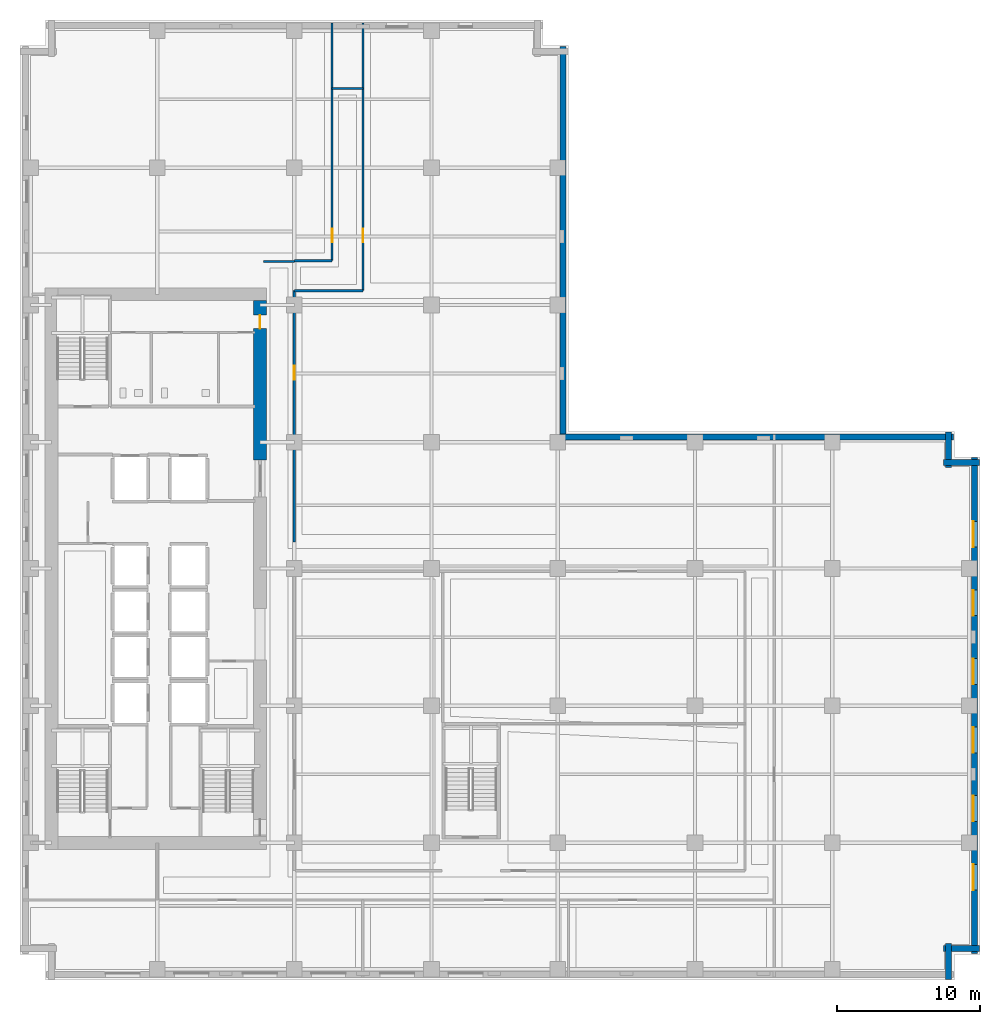
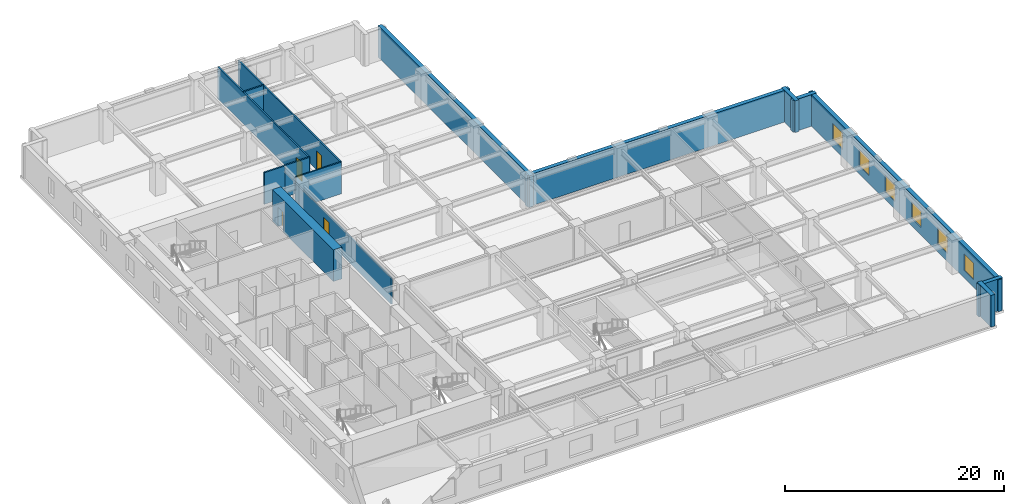
# One storey, part 7 of 13: 15 walls, 6 windows, 4 doors, 10 openings.
"""IFC4 building model written with IfcOpenShell, lengths in metres."""

from ifc_helpers import new_model, si_unit, direction, frame, frame_2d, origin, place, context, subcontext, project, spatial, rectangle, extrude, material, layer, layer_set, type_object, element, fill, save


model = new_model("IFC4")

# Units and contexts
model_context = context("Model", 3, precision=1e-05, world=origin(), true_north=direction((0.0, 1.0)))
body_context = subcontext(model_context, "Body", "Model", "MODEL_VIEW")
ifc_project = project(units=[si_unit("LENGTHUNIT", "METRE"), si_unit("AREAUNIT", "SQUARE_METRE"), si_unit("VOLUMEUNIT", "CUBIC_METRE"), si_unit("PLANEANGLEUNIT", "RADIAN"), si_unit("MASSUNIT", "GRAM", prefix="KILO")], contexts=[model_context])

# Site, building, storey
site_placement = place(None, origin())
site = spatial("IfcSite", under=ifc_project, at=site_placement, CompositionType="ELEMENT")
building_placement = place(site_placement, origin())
building = spatial("IfcBuilding", under=site, at=building_placement, Name="Norrvale University Quadrangle", CompositionType="ELEMENT")
storey_placement = place(building_placement, frame((0.0, 0.0, 66.0)))
storey = spatial("IfcBuildingStorey", under=building, at=storey_placement, Name="L16", CompositionType="ELEMENT", Elevation=66.0)

# Walls
ifc_material_1 = material(Name="Buff Norman Clay Brick Masonry", Category="masonry")
ifc_layer_1 = layer(ifc_material_1, 0.419921875, Name="Buff Norman Clay Brick Masonry")
ifc_layer_set_1 = layer_set([ifc_layer_1], Name="Buff Norman Clay Brick Masonry")
wall_type_1 = type_object("IfcWallType", Name="Wall Buff Brick 420", PredefinedType="SOLIDWALL", material=ifc_layer_set_1)
for number, where, z_axis, x_axis, name in (
    (1, (65.010009765625, 0.0400390625, 0.0), (0.0, 0.0, 1.0), (0.0, 1.0, 0.0), "Exterior Brick Facade Wall L16-02.1"),
    (2, (64.659912109375, 2.18994140625, 0.0), (0.0, 0.0, 1.0), (1.0, 0.0, 0.0), "Exterior Brick Facade Wall L16-03.1"),
):
    element("IfcWall", number, at=place(storey_placement, frame(where, z_axis=z_axis, x_axis=x_axis)), inside=storey, type_object=wall_type_1, Name=name, PredefinedType="SOLIDWALL", context=body_context, shape_type="SweptSolid", body=[
        extrude(rectangle(XDim=2.5, YDim=0.419921875, at=frame_2d((1.25, 0.0))), origin(), (0.0, 0.0, 1.0), 3.5400390625),
    ])

# Wall, openings, windows
wall_1_placement = place(storey_placement, frame((66.81005859375, 1.840087890625, 0.0), z_axis=(0.0, 0.0, 1.0), x_axis=(0.0, 1.0, 0.0)))
wall_1 = element("IfcWall", 3, at=wall_1_placement, inside=storey, type_object=wall_type_1, Name="Exterior Brick Facade Wall L16-04.1", PredefinedType="SOLIDWALL", context=body_context, shape_type="SweptSolid", body=[
    extrude(rectangle(XDim=34.719970703125, YDim=0.419921875, at=frame_2d((17.35986328125, 0.0))), origin(), (0.0, 0.0, 1.0), 3.5400390625),
])
opening_1_placement = place(wall_1_placement, frame((4.4599609375, 0.0, 0.85009765625)))
opening_1 = element("IfcOpeningElement", 4, at=opening_1_placement, cuts=wall_1, Name="Opening W01", PredefinedType="OPENING", context=body_context, shape_type="SweptSolid", body=[
    extrude(rectangle(XDim=1.800048828125, YDim=1.85009765625, at=frame_2d((0.89990234375, 0.925048828125))), frame((0.0, 0.221923828125, 0.0), z_axis=(0.0, -1.0, 0.0), x_axis=(1.0, 0.0, 0.0)), (0.0, 0.0, 1.0), 0.44384765625),
])
opening_2_placement = place(wall_1_placement, frame((9.260009765625, 0.0, 0.85009765625)))
opening_2 = element("IfcOpeningElement", 5, at=opening_2_placement, cuts=wall_1, Name="Opening W01", PredefinedType="OPENING", context=body_context, shape_type="SweptSolid", body=[
    extrude(rectangle(XDim=1.800048828125, YDim=1.85009765625, at=frame_2d((0.89990234375, 0.925048828125))), frame((0.0, 0.221923828125, 0.0), z_axis=(0.0, -1.0, 0.0), x_axis=(1.0, 0.0, 0.0)), (0.0, 0.0, 1.0), 0.44384765625),
])
opening_3_placement = place(wall_1_placement, frame((14.06005859375, 0.0, 0.85009765625)))
opening_3 = element("IfcOpeningElement", 6, at=opening_3_placement, cuts=wall_1, Name="Opening W01", PredefinedType="OPENING", context=body_context, shape_type="SweptSolid", body=[
    extrude(rectangle(XDim=1.800048828125, YDim=1.85009765625, at=frame_2d((0.89990234375, 0.925048828125))), frame((0.0, 0.221923828125, 0.0), z_axis=(0.0, -1.0, 0.0), x_axis=(1.0, 0.0, 0.0)), (0.0, 0.0, 1.0), 0.44384765625),
])
opening_4_placement = place(wall_1_placement, frame((18.860107421875, 0.0, 0.85009765625)))
opening_4 = element("IfcOpeningElement", 7, at=opening_4_placement, cuts=wall_1, Name="Opening W01", PredefinedType="OPENING", context=body_context, shape_type="SweptSolid", body=[
    extrude(rectangle(XDim=1.800048828125, YDim=1.85009765625, at=frame_2d((0.89990234375, 0.925048828125))), frame((0.0, 0.221923828125, 0.0), z_axis=(0.0, -1.0, 0.0), x_axis=(1.0, 0.0, 0.0)), (0.0, 0.0, 1.0), 0.44384765625),
])
opening_5_placement = place(wall_1_placement, frame((23.659912109375, 0.0, 0.85009765625)))
opening_5 = element("IfcOpeningElement", 8, at=opening_5_placement, cuts=wall_1, Name="Opening W01", PredefinedType="OPENING", context=body_context, shape_type="SweptSolid", body=[
    extrude(rectangle(XDim=1.800048828125, YDim=1.85009765625, at=frame_2d((0.89990234375, 0.925048828125))), frame((0.0, 0.221923828125, 0.0), z_axis=(0.0, -1.0, 0.0), x_axis=(1.0, 0.0, 0.0)), (0.0, 0.0, 1.0), 0.44384765625),
])
opening_6_placement = place(wall_1_placement, frame((28.4599609375, 0.0, 0.85009765625)))
opening_6 = element("IfcOpeningElement", 9, at=opening_6_placement, cuts=wall_1, Name="Opening W01", PredefinedType="OPENING", context=body_context, shape_type="SweptSolid", body=[
    extrude(rectangle(XDim=1.800048828125, YDim=1.85009765625, at=frame_2d((0.89990234375, 0.925048828125))), frame((0.0, 0.221923828125, 0.0), z_axis=(0.0, -1.0, 0.0), x_axis=(1.0, 0.0, 0.0)), (0.0, 0.0, 1.0), 0.44384765625),
])
ifc_material_2 = material(Name="Triple Low-E Argon Glazing", Category="glass")
window_type = type_object("IfcWindowType", Name="Window Academic 1800x2300", PartitioningType="DOUBLE_PANEL_VERTICAL", PredefinedType="WINDOW", material=ifc_material_2)
window_1_placement = place(opening_1_placement, origin())
window_1 = element("IfcWindow", 10, at=window_1_placement, inside=storey, type_object=window_type, Name="Window Academic 1800x2300 WIN-L16-E04-1-01", OverallHeight=1.85009765625, OverallWidth=1.800048828125, PartitioningType="DOUBLE_PANEL_VERTICAL", PredefinedType="WINDOW", context=body_context, shape_type="SweptSolid", body=[
    extrude(rectangle(XDim=1.800048828125, YDim=1.85009765625, at=frame_2d((0.89990234375, 0.925048828125))), frame((0.0, 0.110107421875, 0.0), z_axis=(0.0, -1.0, 0.0), x_axis=(1.0, 0.0, 0.0)), (0.0, 0.0, 1.0), 0.06005859375),
])
fill(opening_1, window_1)
window_2_placement = place(opening_2_placement, origin())
window_2 = element("IfcWindow", 11, at=window_2_placement, inside=storey, type_object=window_type, Name="Window Academic 1800x2300 WIN-L16-E04-1-02", OverallHeight=1.85009765625, OverallWidth=1.800048828125, PartitioningType="DOUBLE_PANEL_VERTICAL", PredefinedType="WINDOW", context=body_context, shape_type="SweptSolid", body=[
    extrude(rectangle(XDim=1.800048828125, YDim=1.85009765625, at=frame_2d((0.89990234375, 0.925048828125))), frame((0.0, 0.110107421875, 0.0), z_axis=(0.0, -1.0, 0.0), x_axis=(1.0, 0.0, 0.0)), (0.0, 0.0, 1.0), 0.06005859375),
])
fill(opening_2, window_2)
window_3_placement = place(opening_3_placement, origin())
window_3 = element("IfcWindow", 12, at=window_3_placement, inside=storey, type_object=window_type, Name="Window Academic 1800x2300 WIN-L16-E04-1-03", OverallHeight=1.85009765625, OverallWidth=1.800048828125, PartitioningType="DOUBLE_PANEL_VERTICAL", PredefinedType="WINDOW", context=body_context, shape_type="SweptSolid", body=[
    extrude(rectangle(XDim=1.800048828125, YDim=1.85009765625, at=frame_2d((0.89990234375, 0.925048828125))), frame((0.0, 0.110107421875, 0.0), z_axis=(0.0, -1.0, 0.0), x_axis=(1.0, 0.0, 0.0)), (0.0, 0.0, 1.0), 0.06005859375),
])
fill(opening_3, window_3)
window_4_placement = place(opening_4_placement, origin())
window_4 = element("IfcWindow", 13, at=window_4_placement, inside=storey, type_object=window_type, Name="Window Academic 1800x2300 WIN-L16-E04-1-04", OverallHeight=1.85009765625, OverallWidth=1.800048828125, PartitioningType="DOUBLE_PANEL_VERTICAL", PredefinedType="WINDOW", context=body_context, shape_type="SweptSolid", body=[
    extrude(rectangle(XDim=1.800048828125, YDim=1.85009765625, at=frame_2d((0.89990234375, 0.925048828125))), frame((0.0, 0.110107421875, 0.0), z_axis=(0.0, -1.0, 0.0), x_axis=(1.0, 0.0, 0.0)), (0.0, 0.0, 1.0), 0.06005859375),
])
fill(opening_4, window_4)
window_5_placement = place(opening_5_placement, origin())
window_5 = element("IfcWindow", 14, at=window_5_placement, inside=storey, type_object=window_type, Name="Window Academic 1800x2300 WIN-L16-E04-1-05", OverallHeight=1.85009765625, OverallWidth=1.800048828125, PartitioningType="DOUBLE_PANEL_VERTICAL", PredefinedType="WINDOW", context=body_context, shape_type="SweptSolid", body=[
    extrude(rectangle(XDim=1.800048828125, YDim=1.85009765625, at=frame_2d((0.89990234375, 0.925048828125))), frame((0.0, 0.110107421875, 0.0), z_axis=(0.0, -1.0, 0.0), x_axis=(1.0, 0.0, 0.0)), (0.0, 0.0, 1.0), 0.06005859375),
])
fill(opening_5, window_5)
window_6_placement = place(opening_6_placement, origin())
window_6 = element("IfcWindow", 15, at=window_6_placement, inside=storey, type_object=window_type, Name="Window Academic 1800x2300 WIN-L16-E04-1-06", OverallHeight=1.85009765625, OverallWidth=1.800048828125, PartitioningType="DOUBLE_PANEL_VERTICAL", PredefinedType="WINDOW", context=body_context, shape_type="SweptSolid", body=[
    extrude(rectangle(XDim=1.800048828125, YDim=1.85009765625, at=frame_2d((0.89990234375, 0.925048828125))), frame((0.0, 0.110107421875, 0.0), z_axis=(0.0, -1.0, 0.0), x_axis=(1.0, 0.0, 0.0)), (0.0, 0.0, 1.0), 0.06005859375),
])
fill(opening_6, window_6)

# Walls
for number, where, z_axis, x_axis, name in (
    (16, (67.159912109375, 36.2099609375, 0.0), (0.0, 0.0, 1.0), (-1.0, 0.0, 0.0), "Exterior Brick Facade Wall L16-05.1"),
    (17, (65.010009765625, 35.860107421875, 0.0), (0.0, 0.0, 1.0), (0.0, 1.0, 0.0), "Exterior Brick Facade Wall L16-06.1"),
):
    element("IfcWall", number, at=place(storey_placement, frame(where, z_axis=z_axis, x_axis=x_axis)), inside=storey, type_object=wall_type_1, Name=name, PredefinedType="SOLIDWALL", context=body_context, shape_type="SweptSolid", body=[
        extrude(rectangle(XDim=2.5, YDim=0.419921875, at=frame_2d((1.25, 0.0))), origin(), (0.0, 0.0, 1.0), 3.5400390625),
    ])
for number, where, z_axis, x_axis, name in (
    (18, (65.360107421875, 38.010009765625, 0.0), (0.0, 0.0, 1.0), (-1.0, 0.0, 0.0), "Exterior Brick Facade Wall L16-07.1"),
    (19, (38.010009765625, 37.659912109375, 0.0), (0.0, 0.0, 1.0), (0.0, 1.0, 0.0), "Exterior Brick Facade Wall L16-08.1"),
):
    element("IfcWall", number, at=place(storey_placement, frame(where, z_axis=z_axis, x_axis=x_axis)), inside=storey, type_object=wall_type_1, Name=name, PredefinedType="SOLIDWALL", context=body_context, shape_type="SweptSolid", body=[
        extrude(rectangle(XDim=27.7001953125, YDim=0.419921875, at=frame_2d((13.85009765625, 0.0))), origin(), (0.0, 0.0, 1.0), 3.5400390625),
    ])

# Wall, opening, door
ifc_material_3 = material(Name="Concrete C80/95", Category="concrete")
ifc_layer_2 = layer(ifc_material_3, 0.89990234375, Name="Concrete C80/95")
ifc_layer_set_2 = layer_set([ifc_layer_2], Name="Concrete C80/95")
wall_type_2 = type_object("IfcWallType", Name="Wall Core 900", PredefinedType="SHEAR", material=ifc_layer_set_2)
wall_2_placement = place(storey_placement, frame((16.800048828125, 36.39990234375, 0.0), z_axis=(0.0, 0.0, 1.0), x_axis=(0.0, 1.0, 0.0)))
wall_2 = element("IfcWall", 20, at=wall_2_placement, inside=storey, type_object=wall_type_2, Name="Tower Core Shear Wall L16-E3", PredefinedType="SHEAR", context=body_context, shape_type="SweptSolid", body=[
    extrude(rectangle(XDim=11.150146484375, YDim=0.89990234375, at=frame_2d((5.5751953125, 0.0))), origin(), (0.0, 0.0, 1.0), 3.5400390625),
])
opening_7_placement = place(wall_2_placement, frame((9.199951171875, 0.0, 0.0)))
opening_7 = element("IfcOpeningElement", 21, at=opening_7_placement, cuts=wall_2, Name="Opening D07", PredefinedType="OPENING", context=body_context, shape_type="SweptSolid", body=[
    extrude(rectangle(XDim=0.949951171875, YDim=2.14990234375, at=frame_2d((0.47509765625, 1.074951171875))), frame((0.0, 0.4619140625, 0.0), z_axis=(0.0, -1.0, 0.0), x_axis=(1.0, 0.0, 0.0)), (0.0, 0.0, 1.0), 0.923828125),
])
ifc_material_4 = material(Name="Solid-Core Maple Door", Category="wood")
door_type_1 = type_object("IfcDoorType", Name="Door Office 950x2150", OperationType="NOTDEFINED", PredefinedType="DOOR", material=ifc_material_4)
door_1_placement = place(opening_7_placement, origin())
door_1 = element("IfcDoor", 22, at=door_1_placement, inside=storey, type_object=door_type_1, Name="Door Office 950x2150 DR-L16-NECORR", OperationType="SINGLE_SWING_LEFT", OverallHeight=2.14990234375, OverallWidth=0.949951171875, PredefinedType="DOOR", context=body_context, shape_type="SweptSolid", body=[
    extrude(rectangle(XDim=0.949951171875, YDim=2.14990234375, at=frame_2d((0.47509765625, 1.074951171875))), frame((0.0, 0.02490234375, 0.0), z_axis=(0.0, -1.0, 0.0), x_axis=(1.0, 0.0, 0.0)), (0.0, 0.0, 1.0), 0.050048828125),
])
fill(opening_7, door_1)

# Wall
ifc_material_5 = material(Name="Fire-Rated Gypsum Stud Partition")
ifc_layer_3 = layer(ifc_material_5, 0.14990234375, Name="Fire-Rated Gypsum Stud Partition")
ifc_layer_set_3 = layer_set([ifc_layer_3], Name="Fire-Rated Gypsum Stud Partition")
wall_type_3 = type_object("IfcWallType", Name="Wall Gypsum Corridor 150", PredefinedType="PARTITIONING", material=ifc_layer_set_3)
wall_3_placement = place(storey_placement, frame((17.050048828125, 50.300048828125, 0.0), z_axis=(0.0, 0.0, 1.0), x_axis=(1.0, 0.0, 0.0)))
element("IfcWall", 23, at=wall_3_placement, inside=storey, type_object=wall_type_3, Name="Interior Partition WL-L16-CN-END", PredefinedType="PARTITIONING", context=body_context, shape_type="SweptSolid", body=[
    extrude(rectangle(XDim=2.14990234375, YDim=0.14990234375, at=frame_2d((1.074951171875, 0.0))), origin(), (0.0, 0.0, 1.0), 3.5400390625),
])

# Wall, opening, door
wall_4_placement = place(storey_placement, frame((19.199951171875, 30.64990234375, 0.0), z_axis=(0.0, 0.0, 1.0), x_axis=(0.0, 1.0, 0.0)))
wall_4 = element("IfcWall", 24, at=wall_4_placement, inside=storey, type_object=wall_type_3, Name="Interior Partition WL-L16-MNECW", PredefinedType="PARTITIONING", context=body_context, shape_type="SweptSolid", body=[
    extrude(rectangle(XDim=17.60009765625, YDim=0.14990234375, at=frame_2d((8.800048828125, 0.0))), origin(), (0.0, 0.0, 1.0), 2.923095703125),
])
opening_8_placement = place(wall_4_placement, frame((11.35009765625, 0.0, 0.0)))
opening_8 = element("IfcOpeningElement", 25, at=opening_8_placement, cuts=wall_4, Name="Opening D04", PredefinedType="OPENING", context=body_context, shape_type="SweptSolid", body=[
    extrude(rectangle(XDim=1.0, YDim=2.199951171875, at=frame_2d((0.5, 1.10009765625))), frame((0.0, 0.0869140625, 0.0), z_axis=(0.0, -1.0, 0.0), x_axis=(1.0, 0.0, 0.0)), (0.0, 0.0, 1.0), 0.173828125),
])
ifc_material_6 = material(Name="Solid-Core Oak Fire Door", Category="wood")
door_type_2 = type_object("IfcDoorType", Name="Door Corridor 1000x2200", OperationType="NOTDEFINED", PredefinedType="DOOR", material=ifc_material_6)
door_2_placement = place(opening_8_placement, origin())
door_2 = element("IfcDoor", 26, at=door_2_placement, inside=storey, type_object=door_type_2, Name="Door Corridor 1000x2200 DR-L16-MNE01", OperationType="SINGLE_SWING_RIGHT", OverallHeight=2.199951171875, OverallWidth=1.0, PredefinedType="DOOR", context=body_context, shape_type="SweptSolid", body=[
    extrude(rectangle(XDim=1.0, YDim=2.199951171875, at=frame_2d((0.5, 1.10009765625))), frame((0.0, 0.02490234375, 0.0), z_axis=(0.0, -1.0, 0.0), x_axis=(1.0, 0.0, 0.0)), (0.0, 0.0, 1.0), 0.050048828125),
])
fill(opening_8, door_2)

# Walls
wall_5_placement = place(storey_placement, frame((19.199951171875, 48.25, 0.0), z_axis=(0.0, 0.0, 1.0), x_axis=(1.0, 0.0, 0.0)))
element("IfcWall", 27, at=wall_5_placement, inside=storey, type_object=wall_type_3, Name="Interior Partition WL-L16-JOGS", PredefinedType="PARTITIONING", context=body_context, shape_type="SweptSolid", body=[
    extrude(rectangle(XDim=4.800048828125, YDim=0.14990234375, at=frame_2d((2.39990234375, 0.0))), origin(), (0.0, 0.0, 1.0), 3.5400390625),
])
wall_6_placement = place(storey_placement, frame((19.199951171875, 50.35009765625, 0.0), z_axis=(0.0, 0.0, 1.0), x_axis=(1.0, 0.0, 0.0)))
element("IfcWall", 28, at=wall_6_placement, inside=storey, type_object=wall_type_3, Name="Interior Partition WL-L16-JOGN", PredefinedType="PARTITIONING", context=body_context, shape_type="SweptSolid", body=[
    extrude(rectangle(XDim=2.650146484375, YDim=0.14990234375, at=frame_2d((1.3251953125, 0.0))), origin(), (0.0, 0.0, 1.0), 3.5400390625),
])
wall_7_placement = place(storey_placement, frame((21.85009765625, 62.39990234375, 0.0), z_axis=(0.0, 0.0, 1.0), x_axis=(1.0, 0.0, 0.0)))
element("IfcWall", 29, at=wall_7_placement, inside=storey, type_object=wall_type_3, Name="Interior Partition WL-L16-JOGEND", PredefinedType="PARTITIONING", context=body_context, shape_type="SweptSolid", body=[
    extrude(rectangle(XDim=2.14990234375, YDim=0.14990234375, at=frame_2d((1.074951171875, 0.0))), origin(), (0.0, 0.0, 1.0), 3.5400390625),
])

# Wall, opening, door
wall_8_placement = place(storey_placement, frame((24.0, 48.25, 0.0), z_axis=(0.0, 0.0, 1.0), x_axis=(0.0, 1.0, 0.0)))
wall_8 = element("IfcWall", 30, at=wall_8_placement, inside=storey, type_object=wall_type_3, Name="Interior Partition WL-L16-NECW", PredefinedType="PARTITIONING", context=body_context, shape_type="SweptSolid", body=[
    extrude(rectangle(XDim=18.72998046875, YDim=0.14990234375, at=frame_2d((9.364990234375, 0.0))), origin(), (0.0, 0.0, 1.0), 3.5400390625),
])
opening_9_placement = place(wall_8_placement, frame((3.39990234375, 0.0, 0.0)))
opening_9 = element("IfcOpeningElement", 31, at=opening_9_placement, cuts=wall_8, Name="Opening D07", PredefinedType="OPENING", context=body_context, shape_type="SweptSolid", body=[
    extrude(rectangle(XDim=0.949951171875, YDim=2.14990234375, at=frame_2d((0.47509765625, 1.074951171875))), frame((0.0, 0.0869140625, 0.0), z_axis=(0.0, -1.0, 0.0), x_axis=(1.0, 0.0, 0.0)), (0.0, 0.0, 1.0), 0.173828125),
])
door_3_placement = place(opening_9_placement, origin())
door_3 = element("IfcDoor", 32, at=door_3_placement, inside=storey, type_object=door_type_1, Name="Door Office 950x2150 DR-L16-NE01", OperationType="SINGLE_SWING_RIGHT", OverallHeight=2.14990234375, OverallWidth=0.949951171875, PredefinedType="DOOR", context=body_context, shape_type="SweptSolid", body=[
    extrude(rectangle(XDim=0.949951171875, YDim=2.14990234375, at=frame_2d((0.47509765625, 1.074951171875))), frame((0.0, 0.02490234375, 0.0), z_axis=(0.0, -1.0, 0.0), x_axis=(1.0, 0.0, 0.0)), (0.0, 0.0, 1.0), 0.050048828125),
])
fill(opening_9, door_3)

wall_9_placement = place(storey_placement, frame((21.85009765625, 50.35009765625, 0.0), z_axis=(0.0, 0.0, 1.0), x_axis=(0.0, 1.0, 0.0)))
wall_9 = element("IfcWall", 33, at=wall_9_placement, inside=storey, type_object=wall_type_3, Name="Interior Partition WL-L16-NWCW", PredefinedType="PARTITIONING", context=body_context, shape_type="SweptSolid", body=[
    extrude(rectangle(XDim=16.6298828125, YDim=0.14990234375, at=frame_2d((8.31494140625, 0.0))), origin(), (0.0, 0.0, 1.0), 3.5400390625),
])
opening_10_placement = place(wall_9_placement, frame((1.300048828125, 0.0, 0.0)))
opening_10 = element("IfcOpeningElement", 34, at=opening_10_placement, cuts=wall_9, Name="Opening D07", PredefinedType="OPENING", context=body_context, shape_type="SweptSolid", body=[
    extrude(rectangle(XDim=0.949951171875, YDim=2.14990234375, at=frame_2d((0.47509765625, 1.074951171875))), frame((0.0, 0.0869140625, 0.0), z_axis=(0.0, -1.0, 0.0), x_axis=(1.0, 0.0, 0.0)), (0.0, 0.0, 1.0), 0.173828125),
])
door_4_placement = place(opening_10_placement, origin())
door_4 = element("IfcDoor", 35, at=door_4_placement, inside=storey, type_object=door_type_1, Name="Door Office 950x2150 DR-L16-NW01", OperationType="SINGLE_SWING_RIGHT", OverallHeight=2.14990234375, OverallWidth=0.949951171875, PredefinedType="DOOR", context=body_context, shape_type="SweptSolid", body=[
    extrude(rectangle(XDim=0.949951171875, YDim=2.14990234375, at=frame_2d((0.47509765625, 1.074951171875))), frame((0.0, 0.02490234375, 0.0), z_axis=(0.0, -1.0, 0.0), x_axis=(1.0, 0.0, 0.0)), (0.0, 0.0, 1.0), 0.050048828125),
])
fill(opening_10, door_4)

save(model, "model.ifc")
